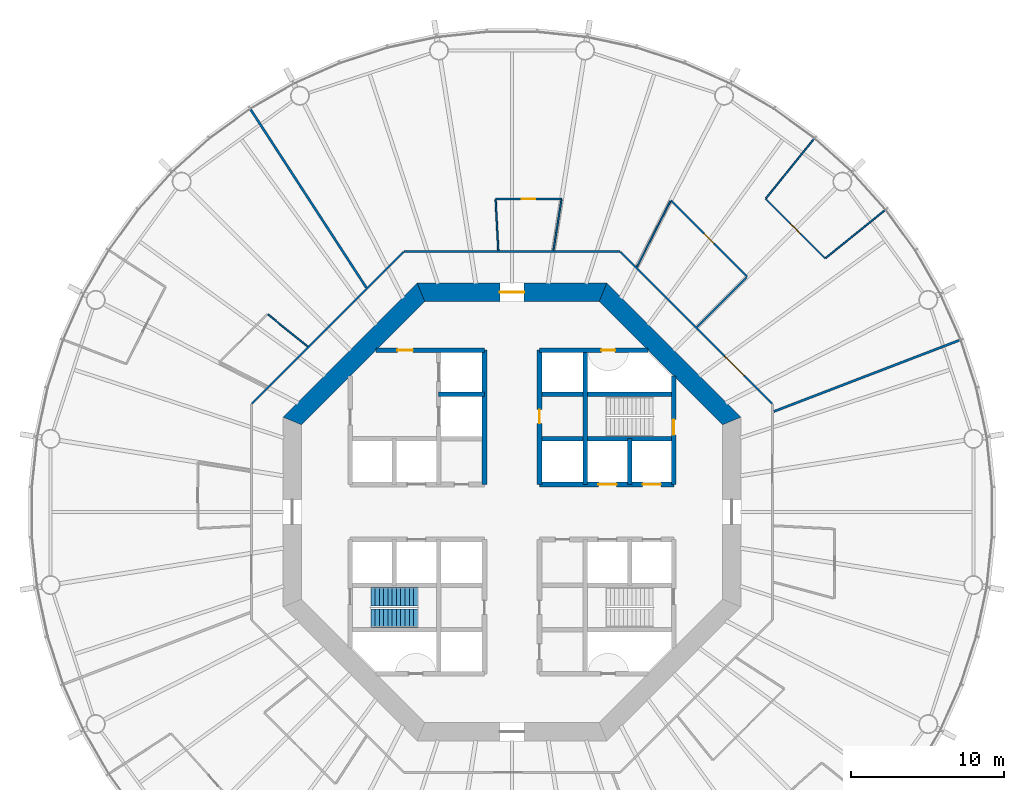
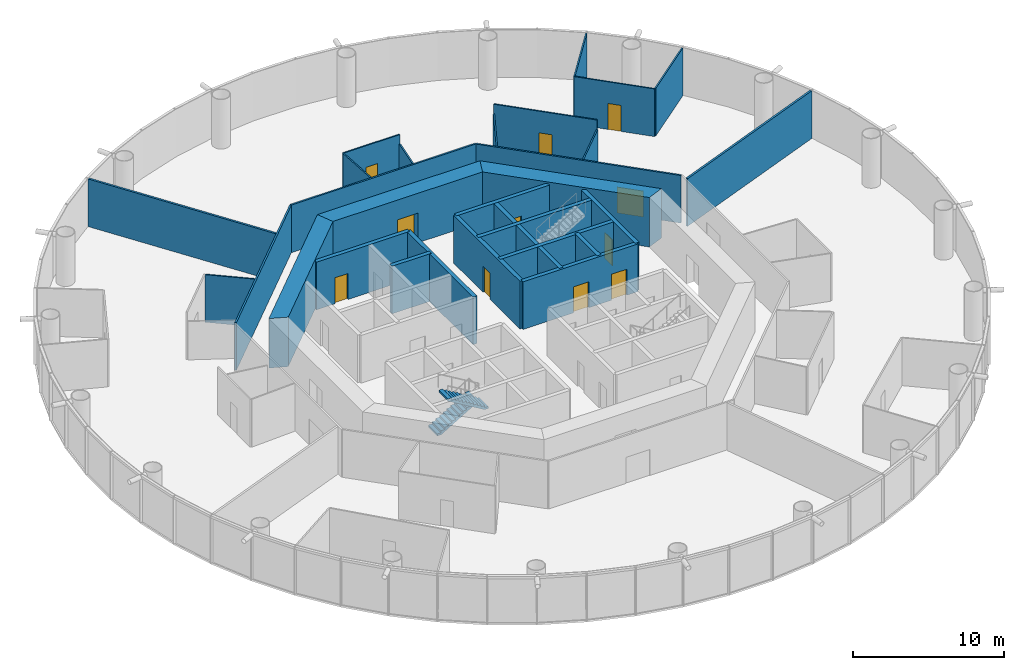
# One storey, part 5 of 13: 29 walls, 11 doors, 2 stair flights, 11 openings, 1 element without a shape of its own.
"""IFC4 building model written with IfcOpenShell, lengths in metres."""

from ifc_helpers import new_model, si_unit, direction, frame, frame_2d, origin, place, context, subcontext, project, spatial, polyline, rectangle, outline, extrude, material, layer, layer_set, type_object, element, fill, aggregate, save


model = new_model("IFC4")

# Units and contexts
model_context = context("Model", 3, precision=1e-05, world=origin(), true_north=direction((0.0, 1.0)))
body_context = subcontext(model_context, "Body", "Model", "MODEL_VIEW")
ifc_project = project(units=[si_unit("LENGTHUNIT", "METRE"), si_unit("AREAUNIT", "SQUARE_METRE"), si_unit("VOLUMEUNIT", "CUBIC_METRE"), si_unit("PLANEANGLEUNIT", "RADIAN"), si_unit("MASSUNIT", "GRAM", prefix="KILO")], contexts=[model_context])

# Site, building, storey
site_placement = place(None, origin())
site = spatial("IfcSite", under=ifc_project, at=site_placement, CompositionType="ELEMENT")
building_placement = place(site_placement, origin())
building = spatial("IfcBuilding", under=site, at=building_placement, Name="Entoto Ring Tower", CompositionType="ELEMENT")
storey_placement = place(building_placement, frame((0.0, 0.0, 112.0)))
storey = spatial("IfcBuildingStorey", under=building, at=storey_placement, Name="L25", CompositionType="ELEMENT", Elevation=112.0)

# Wall, opening, door
ifc_material_1 = material(Name="Concrete C40/50", Category="concrete")
ifc_layer_1 = layer(ifc_material_1, 0.300048828125)
ifc_layer_set_1 = layer_set([ifc_layer_1], Name="Concrete C40/50")
wall_type_1 = type_object("IfcWallType", Name="Core enclosure wall 300 mm reinforced concrete", PredefinedType="SOLIDWALL", material=ifc_layer_set_1)
wall_1_placement = place(storey_placement, frame((100.60009765625, 81.800048828125, 0.0), z_axis=(0.0, 0.0, 1.0), x_axis=(0.0, 1.0, 0.0)))
wall_1 = element("IfcWall", 1, at=wall_1_placement, inside=storey, type_object=wall_type_1, Name="wall-L25-002", PredefinedType="SOLIDWALL", context=body_context, shape_type="SweptSolid", body=[
    extrude(rectangle(XDim=7.115966796875, YDim=0.300048828125, at=frame_2d((3.55810546875, 0.0))), origin(), (0.0, 0.0, 1.0), 3.85009765625),
])
opening_1_placement = place(wall_1_placement, frame((3.25, 0.0, 0.0)))
opening_1 = element("IfcOpeningElement", 2, at=opening_1_placement, cuts=wall_1, Name="Opening K-17", PredefinedType="OPENING", context=body_context, shape_type="SweptSolid", body=[
    extrude(rectangle(XDim=1.0, YDim=2.10009765625, at=frame_2d((0.5, 1.050048828125))), frame((0.0, 0.16015625, 0.0), z_axis=(0.0, -1.0, 0.0), x_axis=(1.0, 0.0, 0.0)), (0.0, 0.0, 1.0), 0.320068359375),
])
ifc_material_2 = material(Name="Steel door leaf, fire rated", Category="steel")
ifc_layer_2 = layer(ifc_material_2, 0.050048828125)
ifc_layer_set_2 = layer_set([ifc_layer_2], Name="Steel door leaf, fire rated")
door_type_1 = type_object("IfcDoorType", Name="Fire door FD60 1000 x 2100 single leaf", OperationType="NOTDEFINED", PredefinedType="DOOR", material=ifc_layer_set_2)
door_1_placement = place(opening_1_placement, origin())
door_1 = element("IfcDoor", 3, at=door_1_placement, inside=storey, type_object=door_type_1, Name="Door K-17", OperationType="SINGLE_SWING_RIGHT", OverallHeight=2.10009765625, OverallWidth=1.0, PredefinedType="DOOR", context=body_context, shape_type="SweptSolid", body=[
    extrude(rectangle(XDim=1.0, YDim=2.10009765625, at=frame_2d((0.5, 1.050048828125))), frame((0.0, 0.02490234375, 0.0), z_axis=(0.0, -1.0, 0.0), x_axis=(1.0, 0.0, 0.0)), (0.0, 0.0, 1.0), 0.050048828125),
])
fill(opening_1, door_1)

# Walls
wall_2_placement = place(storey_placement, frame((97.699951171875, 81.800048828125, 0.0), z_axis=(0.0, 0.0, 1.0), x_axis=(0.0, 1.0, 0.0)))
element("IfcWall", 4, at=wall_2_placement, inside=storey, type_object=wall_type_1, Name="wall-L25-004", PredefinedType="SOLIDWALL", context=body_context, shape_type="SweptSolid", body=[
    extrude(rectangle(XDim=3.0, YDim=0.300048828125, at=frame_2d((1.5, 0.0))), origin(), (0.0, 0.0, 1.0), 3.85009765625),
])
wall_3_placement = place(storey_placement, frame((94.800048828125, 81.800048828125, 0.0), z_axis=(0.0, 0.0, 1.0), x_axis=(0.0, 1.0, 0.0)))
element("IfcWall", 5, at=wall_3_placement, inside=storey, type_object=wall_type_1, Name="wall-L25-006", PredefinedType="SOLIDWALL", context=body_context, shape_type="SweptSolid", body=[
    extrude(rectangle(XDim=8.800048828125, YDim=0.300048828125, at=frame_2d((4.39990234375, 0.0))), origin(), (0.0, 0.0, 1.0), 3.85009765625),
])

# Wall, opening, door
wall_4_placement = place(storey_placement, frame((91.800048828125, 81.800048828125, 0.0), z_axis=(0.0, 0.0, 1.0), x_axis=(0.0, 1.0, 0.0)))
wall_4 = element("IfcWall", 6, at=wall_4_placement, inside=storey, type_object=wall_type_1, Name="wall-L25-008", PredefinedType="SOLIDWALL", context=body_context, shape_type="SweptSolid", body=[
    extrude(rectangle(XDim=8.800048828125, YDim=0.300048828125, at=frame_2d((4.39990234375, 0.0))), origin(), (0.0, 0.0, 1.0), 3.85009765625),
])
opening_2_placement = place(wall_4_placement, frame((4.0, 0.0, 0.0)))
opening_2 = element("IfcOpeningElement", 7, at=opening_2_placement, cuts=wall_4, Name="Opening K-11", PredefinedType="OPENING", context=body_context, shape_type="SweptSolid", body=[
    extrude(rectangle(XDim=0.89990234375, YDim=2.10009765625, at=frame_2d((0.449951171875, 1.050048828125))), frame((0.0, 0.16015625, 0.0), z_axis=(0.0, -1.0, 0.0), x_axis=(1.0, 0.0, 0.0)), (0.0, 0.0, 1.0), 0.320068359375),
])
ifc_material_3 = material(Name="Steel door leaf, fire rated", Category="steel")
ifc_layer_3 = layer(ifc_material_3, 0.050048828125)
ifc_layer_set_3 = layer_set([ifc_layer_3], Name="Steel door leaf, fire rated")
door_type_2 = type_object("IfcDoorType", Name="Core door 900 x 2100 single leaf", OperationType="NOTDEFINED", PredefinedType="DOOR", material=ifc_layer_set_3)
door_2_placement = place(opening_2_placement, origin())
door_2 = element("IfcDoor", 8, at=door_2_placement, inside=storey, type_object=door_type_2, Name="Door K-11", OperationType="SINGLE_SWING_RIGHT", OverallHeight=2.10009765625, OverallWidth=0.89990234375, PredefinedType="DOOR", context=body_context, shape_type="SweptSolid", body=[
    extrude(rectangle(XDim=0.89990234375, YDim=2.10009765625, at=frame_2d((0.449951171875, 1.050048828125))), frame((0.0, 0.02490234375, 0.0), z_axis=(0.0, -1.0, 0.0), x_axis=(1.0, 0.0, 0.0)), (0.0, 0.0, 1.0), 0.050048828125),
])
fill(opening_2, door_2)

# Wall
wall_5_placement = place(storey_placement, frame((88.199951171875, 81.800048828125, 0.0), z_axis=(0.0, 0.0, 1.0), x_axis=(0.0, 1.0, 0.0)))
element("IfcWall", 9, at=wall_5_placement, inside=storey, type_object=wall_type_1, Name="wall-L25-010", PredefinedType="SOLIDWALL", context=body_context, shape_type="SweptSolid", body=[
    extrude(rectangle(XDim=8.800048828125, YDim=0.300048828125, at=frame_2d((4.39990234375, 0.0))), origin(), (0.0, 0.0, 1.0), 3.85009765625),
])

# Wall, openings, doors
wall_6_placement = place(storey_placement, frame((91.800048828125, 81.800048828125, 0.0), z_axis=(0.0, 0.0, 1.0), x_axis=(1.0, 0.0, 0.0)))
wall_6 = element("IfcWall", 10, at=wall_6_placement, inside=storey, type_object=wall_type_1, Name="wall-L25-026", PredefinedType="SOLIDWALL", context=body_context, shape_type="SweptSolid", body=[
    extrude(rectangle(XDim=8.800048828125, YDim=0.300048828125, at=frame_2d((4.39990234375, 0.0))), origin(), (0.0, 0.0, 1.0), 3.85009765625),
])
opening_3_placement = place(wall_6_placement, frame((3.85009765625, 0.0, 0.0)))
opening_3 = element("IfcOpeningElement", 11, at=opening_3_placement, cuts=wall_6, Name="Opening LD", PredefinedType="OPENING", context=body_context, shape_type="SweptSolid", body=[
    extrude(rectangle(XDim=1.199951171875, YDim=2.10009765625, at=frame_2d((0.60009765625, 1.050048828125))), frame((0.0, 0.16015625, 0.0), z_axis=(0.0, -1.0, 0.0), x_axis=(1.0, 0.0, 0.0)), (0.0, 0.0, 1.0), 0.320068359375),
])
opening_4_placement = place(wall_6_placement, frame((6.75, 0.0, 0.0)))
opening_4 = element("IfcOpeningElement", 12, at=opening_4_placement, cuts=wall_6, Name="Opening LD", PredefinedType="OPENING", context=body_context, shape_type="SweptSolid", body=[
    extrude(rectangle(XDim=1.199951171875, YDim=2.10009765625, at=frame_2d((0.60009765625, 1.050048828125))), frame((0.0, 0.16015625, 0.0), z_axis=(0.0, -1.0, 0.0), x_axis=(1.0, 0.0, 0.0)), (0.0, 0.0, 1.0), 0.320068359375),
])
ifc_material_4 = material(Name="Steel and glass door leaf", Category="steel")
ifc_layer_4 = layer(ifc_material_4, 0.050048828125)
ifc_layer_set_4 = layer_set([ifc_layer_4], Name="Steel and glass door leaf")
door_type_3 = type_object("IfcDoorType", Name="Landing door 1200 x 2100 sliding", OperationType="DOUBLE_DOOR_SLIDING", PredefinedType="DOOR", material=ifc_layer_set_4)
door_3_placement = place(opening_3_placement, origin())
door_3 = element("IfcDoor", 13, at=door_3_placement, inside=storey, type_object=door_type_3, Name="Landing door LB1-LR", OperationType="SLIDING_TO_RIGHT", OverallHeight=2.10009765625, OverallWidth=1.199951171875, PredefinedType="DOOR", context=body_context, shape_type="SweptSolid", body=[
    extrude(rectangle(XDim=1.199951171875, YDim=2.10009765625, at=frame_2d((0.60009765625, 1.050048828125))), frame((0.0, 0.02490234375, 0.0), z_axis=(0.0, -1.0, 0.0), x_axis=(1.0, 0.0, 0.0)), (0.0, 0.0, 1.0), 0.050048828125),
])
fill(opening_3, door_3)
door_4_placement = place(opening_4_placement, origin())
door_4 = element("IfcDoor", 14, at=door_4_placement, inside=storey, type_object=door_type_3, Name="Landing door LB2-LR", OperationType="SLIDING_TO_RIGHT", OverallHeight=2.10009765625, OverallWidth=1.199951171875, PredefinedType="DOOR", context=body_context, shape_type="SweptSolid", body=[
    extrude(rectangle(XDim=1.199951171875, YDim=2.10009765625, at=frame_2d((0.60009765625, 1.050048828125))), frame((0.0, 0.02490234375, 0.0), z_axis=(0.0, -1.0, 0.0), x_axis=(1.0, 0.0, 0.0)), (0.0, 0.0, 1.0), 0.050048828125),
])
fill(opening_4, door_4)

# Walls
wall_7_placement = place(storey_placement, frame((91.800048828125, 84.800048828125, 0.0), z_axis=(0.0, 0.0, 1.0), x_axis=(1.0, 0.0, 0.0)))
element("IfcWall", 15, at=wall_7_placement, inside=storey, type_object=wall_type_1, Name="wall-L25-028", PredefinedType="SOLIDWALL", context=body_context, shape_type="SweptSolid", body=[
    extrude(rectangle(XDim=8.800048828125, YDim=0.300048828125, at=frame_2d((4.39990234375, 0.0))), origin(), (0.0, 0.0, 1.0), 3.85009765625),
])
wall_8_placement = place(storey_placement, frame((85.199951171875, 87.699951171875, 0.0), z_axis=(0.0, 0.0, 1.0), x_axis=(1.0, 0.0, 0.0)))
element("IfcWall", 16, at=wall_8_placement, inside=storey, type_object=wall_type_1, Name="wall-L25-029", PredefinedType="SOLIDWALL", context=body_context, shape_type="SweptSolid", body=[
    extrude(rectangle(XDim=3.0, YDim=0.300048828125, at=frame_2d((1.5, 0.0))), origin(), (0.0, 0.0, 1.0), 3.85009765625),
])
wall_9_placement = place(storey_placement, frame((91.800048828125, 87.699951171875, 0.0), z_axis=(0.0, 0.0, 1.0), x_axis=(1.0, 0.0, 0.0)))
element("IfcWall", 17, at=wall_9_placement, inside=storey, type_object=wall_type_1, Name="wall-L25-030", PredefinedType="SOLIDWALL", context=body_context, shape_type="SweptSolid", body=[
    extrude(rectangle(XDim=8.800048828125, YDim=0.300048828125, at=frame_2d((4.39990234375, 0.0))), origin(), (0.0, 0.0, 1.0), 3.85009765625),
])

# Wall, opening, door
wall_10_placement = place(storey_placement, frame((81.083984375, 90.60009765625, 0.0), z_axis=(0.0, 0.0, 1.0), x_axis=(1.0, 0.0, 0.0)))
wall_10 = element("IfcWall", 18, at=wall_10_placement, inside=storey, type_object=wall_type_1, Name="wall-L25-031", PredefinedType="SOLIDWALL", context=body_context, shape_type="SweptSolid", body=[
    extrude(rectangle(XDim=7.115966796875, YDim=0.300048828125, at=frame_2d((3.55810546875, 0.0))), origin(), (0.0, 0.0, 1.0), 3.85009765625),
])
opening_5_placement = place(wall_10_placement, frame((1.416015625, 0.0, 0.0)))
opening_5 = element("IfcOpeningElement", 19, at=opening_5_placement, cuts=wall_10, Name="Opening K-73", PredefinedType="OPENING", context=body_context, shape_type="SweptSolid", body=[
    extrude(rectangle(XDim=1.0, YDim=2.10009765625, at=frame_2d((0.5, 1.050048828125))), frame((0.0, 0.16015625, 0.0), z_axis=(0.0, -1.0, 0.0), x_axis=(1.0, 0.0, 0.0)), (0.0, 0.0, 1.0), 0.320068359375),
])
door_5_placement = place(opening_5_placement, frame((1.0, 0.0, 0.0), z_axis=(0.0, 0.0, 1.0), x_axis=(-1.0, 0.0, 0.0)))
door_5 = element("IfcDoor", 20, at=door_5_placement, inside=storey, type_object=door_type_1, Name="Door K-73", OperationType="SINGLE_SWING_RIGHT", OverallHeight=2.10009765625, OverallWidth=1.0, PredefinedType="DOOR", context=body_context, shape_type="SweptSolid", body=[
    extrude(rectangle(XDim=1.0, YDim=2.10009765625, at=frame_2d((0.5, 1.050048828125))), frame((0.0, 0.02490234375, 0.0), z_axis=(0.0, -1.0, 0.0), x_axis=(1.0, 0.0, 0.0)), (0.0, 0.0, 1.0), 0.050048828125),
])
fill(opening_5, door_5)

wall_11_placement = place(storey_placement, frame((91.800048828125, 90.60009765625, 0.0), z_axis=(0.0, 0.0, 1.0), x_axis=(1.0, 0.0, 0.0)))
wall_11 = element("IfcWall", 21, at=wall_11_placement, inside=storey, type_object=wall_type_1, Name="wall-L25-032", PredefinedType="SOLIDWALL", context=body_context, shape_type="SweptSolid", body=[
    extrude(rectangle(XDim=7.115966796875, YDim=0.300048828125, at=frame_2d((3.55810546875, 0.0))), origin(), (0.0, 0.0, 1.0), 3.85009765625),
])
opening_6_placement = place(wall_11_placement, frame((4.050048828125, 0.0, 0.0)))
opening_6 = element("IfcOpeningElement", 22, at=opening_6_placement, cuts=wall_11, Name="Opening K-20", PredefinedType="OPENING", context=body_context, shape_type="SweptSolid", body=[
    extrude(rectangle(XDim=0.89990234375, YDim=2.10009765625, at=frame_2d((0.449951171875, 1.050048828125))), frame((0.0, 0.16015625, 0.0), z_axis=(0.0, -1.0, 0.0), x_axis=(1.0, 0.0, 0.0)), (0.0, 0.0, 1.0), 0.320068359375),
])
ifc_material_5 = material(Name="Steel door leaf, fire rated", Category="steel")
ifc_layer_5 = layer(ifc_material_5, 0.050048828125)
ifc_layer_set_5 = layer_set([ifc_layer_5], Name="Steel door leaf, fire rated")
door_type_4 = type_object("IfcDoorType", Name="Riser door FD60 900 x 2100 single leaf", OperationType="NOTDEFINED", PredefinedType="DOOR", material=ifc_layer_set_5)
door_6_placement = place(opening_6_placement, frame((0.89990234375, 0.0, 0.0), z_axis=(0.0, 0.0, 1.0), x_axis=(-1.0, 0.0, 0.0)))
door_6 = element("IfcDoor", 23, at=door_6_placement, inside=storey, type_object=door_type_4, Name="Door K-20", OperationType="SINGLE_SWING_LEFT", OverallHeight=2.10009765625, OverallWidth=0.89990234375, PredefinedType="DOOR", context=body_context, shape_type="SweptSolid", body=[
    extrude(rectangle(XDim=0.89990234375, YDim=2.10009765625, at=frame_2d((0.449951171875, 1.050048828125))), frame((0.0, 0.02490234375, 0.0), z_axis=(0.0, -1.0, 0.0), x_axis=(1.0, 0.0, 0.0)), (0.0, 0.0, 1.0), 0.050048828125),
])
fill(opening_6, door_6)

# Wall
ifc_material_6 = material(Name="Concrete C60/75", Category="concrete")
ifc_layer_6 = layer(ifc_material_6, 1.199951171875)
ifc_layer_set_6 = layer_set([ifc_layer_6], Name="Concrete C60/75")
wall_type_2 = type_object("IfcWallType", Name="Core shear wall 1200 mm reinforced concrete C60/75", PredefinedType="SHEAR", material=ifc_layer_set_6)
wall_12_placement = place(storey_placement, frame((104.39990234375, 85.964599609375, 0.0), z_axis=(0.0, 0.0, 1.0), x_axis=(-0.707106781187, 0.707106781187, 0.0)))
element("IfcWall", 24, at=wall_12_placement, inside=storey, type_object=wall_type_2, Name="wall-L25-core-1", PredefinedType="SHEAR", context=body_context, shape_type="SweptSolid", body=[
    extrude(outline(polyline([(-0.24853515625, -0.60009765625), (12.177734375, -0.60009765625), (11.6806640625, 0.60009765625), (0.24853515625, 0.60009765625), (-0.24853515625, -0.60009765625)])), origin(), (0.0, 0.0, 1.0), 4.0),
])

# Wall, opening, door
wall_13_placement = place(storey_placement, frame((95.964599609375, 94.39990234375, 0.0), z_axis=(0.0, 0.0, 1.0), x_axis=(-1.0, 0.0, 0.0)))
wall_13 = element("IfcWall", 25, at=wall_13_placement, inside=storey, type_object=wall_type_2, Name="wall-L25-core-2", PredefinedType="SHEAR", context=body_context, shape_type="SweptSolid", body=[
    extrude(outline(polyline([(-0.24853515625, -0.60009765625), (12.177734375, -0.60009765625), (11.6806640625, 0.60009765625), (0.24853515625, 0.60009765625), (-0.24853515625, -0.60009765625)])), origin(), (0.0, 0.0, 1.0), 4.0),
])
opening_7_placement = place(wall_13_placement, frame((5.164794921875, 0.0, 0.0)))
opening_7 = element("IfcOpeningElement", 26, at=opening_7_placement, cuts=wall_13, Name="Opening K-02", PredefinedType="OPENING", context=body_context, shape_type="SweptSolid", body=[
    extrude(rectangle(XDim=1.60009765625, YDim=2.39990234375, at=frame_2d((0.800048828125, 1.199951171875))), frame((0.0, 0.60986328125, 0.0), z_axis=(0.0, -1.0, 0.0), x_axis=(1.0, 0.0, 0.0)), (0.0, 0.0, 1.0), 1.219970703125),
])
ifc_material_7 = material(Name="Steel door leaf, fire rated", Category="steel")
ifc_layer_7 = layer(ifc_material_7, 0.050048828125)
ifc_layer_set_7 = layer_set([ifc_layer_7], Name="Steel door leaf, fire rated")
door_type_5 = type_object("IfcDoorType", Name="Entrance door FD60 1600 x 2400 double leaf", OperationType="DOUBLE_DOOR_SINGLE_SWING", PredefinedType="DOOR", material=ifc_layer_set_7)
door_7_placement = place(opening_7_placement, origin())
door_7 = element("IfcDoor", 27, at=door_7_placement, inside=storey, type_object=door_type_5, Name="Entrance door K-02", OperationType="DOUBLE_DOOR_SINGLE_SWING", OverallHeight=2.39990234375, OverallWidth=1.60009765625, PredefinedType="DOOR", context=body_context, shape_type="SweptSolid", body=[
    extrude(rectangle(XDim=1.60009765625, YDim=2.39990234375, at=frame_2d((0.800048828125, 1.199951171875))), frame((0.0, 0.02490234375, 0.0), z_axis=(0.0, -1.0, 0.0), x_axis=(1.0, 0.0, 0.0)), (0.0, 0.0, 1.0), 0.050048828125),
])
fill(opening_7, door_7)

# Walls
wall_14_placement = place(storey_placement, frame((84.035400390625, 94.39990234375, 0.0), z_axis=(0.0, 0.0, 1.0), x_axis=(-0.707106781187, -0.707106781187, 0.0)))
element("IfcWall", 28, at=wall_14_placement, inside=storey, type_object=wall_type_2, Name="wall-L25-core-3", PredefinedType="SHEAR", context=body_context, shape_type="SweptSolid", body=[
    extrude(outline(polyline([(-0.24853515625, -0.60009765625), (12.177734375, -0.60009765625), (11.6806640625, 0.60009765625), (0.24853515625, 0.60009765625), (-0.24853515625, -0.60009765625)])), origin(), (0.0, 0.0, 1.0), 4.0),
])
ifc_material_8 = material(Name="Fire-resisting plasterboard on steel studs", Category="steel")
ifc_layer_8 = layer(ifc_material_8, 0.125)
ifc_layer_set_8 = layer_set([ifc_layer_8], Name="Fire-resisting plasterboard on steel studs")
wall_type_3 = type_object("IfcWallType", Name="Corridor wall 125 mm one-hour plasterboard on steel studs", PredefinedType="PARTITIONING", material=ifc_layer_set_8)
wall_15_placement = place(storey_placement, frame((82.9326171875, 97.0625, 0.0), z_axis=(0.0, 0.0, 1.0), x_axis=(1.0, 0.0, 0.0)))
element("IfcWall", 29, at=wall_15_placement, inside=storey, type_object=wall_type_3, Name="partition-L25-003", PredefinedType="PARTITIONING", context=body_context, shape_type="SweptSolid", body=[
    extrude(rectangle(XDim=14.134765625, YDim=0.125, at=frame_2d((7.0673828125, 0.0))), origin(), (0.0, 0.0, 1.0), 3.85009765625),
])
wall_16_placement = place(storey_placement, frame((72.968505859375, 87.0986328125, 0.0), z_axis=(0.0, 0.0, 1.0), x_axis=(0.707106781187, 0.707106781187, 0.0)))
element("IfcWall", 30, at=wall_16_placement, inside=storey, type_object=wall_type_3, Name="partition-L25-005", PredefinedType="PARTITIONING", context=body_context, shape_type="SweptSolid", body=[
    extrude(rectangle(XDim=14.047119140625, YDim=0.125, at=frame_2d((7.0234375, 0.0))), origin(), (0.0, 0.0, 1.0), 3.85009765625),
])

# Wall, opening, door
wall_17_placement = place(storey_placement, frame((107.031494140625, 87.0986328125, 0.0), z_axis=(0.0, 0.0, 1.0), x_axis=(-0.707106781187, 0.707106781187, 0.0)))
wall_17 = element("IfcWall", 31, at=wall_17_placement, inside=storey, type_object=wall_type_3, Name="partition-L25-008", PredefinedType="PARTITIONING", context=body_context, shape_type="SweptSolid", body=[
    extrude(rectangle(XDim=14.047119140625, YDim=0.125, at=frame_2d((7.0234375, 0.0))), origin(), (0.0, 0.0, 1.0), 3.85009765625),
])
opening_8_placement = place(wall_17_placement, frame((2.58984375, 0.0, 0.0)))
opening_8 = element("IfcOpeningElement", 32, at=opening_8_placement, cuts=wall_17, Name="Opening A10-D01", PredefinedType="OPENING", context=body_context, shape_type="SweptSolid", body=[
    extrude(rectangle(XDim=1.800048828125, YDim=2.10009765625, at=frame_2d((0.89990234375, 1.050048828125))), frame((0.0, 0.072509765625, 0.0), z_axis=(0.0, -1.0, 0.0), x_axis=(1.0, 0.0, 0.0)), (0.0, 0.0, 1.0), 0.14501953125),
])
ifc_material_9 = material(Name="Fire-resisting timber door set", Category="wood")
door_type_6 = type_object("IfcDoorType", Name="Door 1800 x 2100 double leaf FD30S fire door", OperationType="DOUBLE_DOOR_SINGLE_SWING", PredefinedType="DOOR", material=ifc_material_9)
door_8_placement = place(opening_8_placement, origin())
door_8 = element("IfcDoor", 33, at=door_8_placement, inside=storey, type_object=door_type_6, Name="Door A10-D01", OperationType="DOUBLE_DOOR_SINGLE_SWING", OverallHeight=2.10009765625, OverallWidth=1.800048828125, PredefinedType="DOOR", context=body_context, shape_type="SweptSolid", body=[
    extrude(rectangle(XDim=1.800048828125, YDim=2.10009765625, at=frame_2d((0.89990234375, 1.050048828125))), frame((0.0, 0.02490234375, 0.0), z_axis=(0.0, -1.0, 0.0), x_axis=(1.0, 0.0, 0.0)), (0.0, 0.0, 1.0), 0.050048828125),
])
fill(opening_8, door_8)

ifc_material_10 = material(Name="Plasterboard on steel studs", Category="steel")
ifc_layer_9 = layer(ifc_material_10, 0.10009765625)
ifc_layer_set_9 = layer_set([ifc_layer_9], Name="Plasterboard on steel studs")
wall_type_4 = type_object("IfcWallType", Name="Partition 100 mm plasterboard on steel studs", PredefinedType="PARTITIONING", material=ifc_layer_set_9)
wall_18_placement = place(storey_placement, frame((105.40966796875, 95.40966796875, 0.0), z_axis=(0.0, 0.0, 1.0), x_axis=(-0.707124020335, 0.707089541618, 0.0)))
wall_18 = element("IfcWall", 34, at=wall_18_placement, inside=storey, type_object=wall_type_4, Name="partition-L25-015", PredefinedType="PARTITIONING", context=body_context, shape_type="SweptSolid", body=[
    extrude(rectangle(XDim=7.080810546875, YDim=0.10009765625, at=frame_2d((3.54052734375, 0.0))), origin(), (0.0, 0.0, 1.0), 3.85009765625),
])
opening_9_placement = place(wall_18_placement, frame((3.09033203125, 0.0, 0.0)))
opening_9 = element("IfcOpeningElement", 35, at=opening_9_placement, cuts=wall_18, Name="Opening A10-D02", PredefinedType="OPENING", context=body_context, shape_type="SweptSolid", body=[
    extrude(rectangle(XDim=0.89990234375, YDim=2.10009765625, at=frame_2d((0.449951171875, 1.050048828125))), frame((0.0, 0.06005859375, 0.0), z_axis=(0.0, -1.0, 0.0), x_axis=(1.0, 0.0, 0.0)), (0.0, 0.0, 1.0), 0.1201171875),
])
ifc_material_11 = material(Name="Veneered timber door leaf in timber frame", Category="wood")
door_type_7 = type_object("IfcDoorType", Name="Door 900 x 2100 single leaf timber veneer", OperationType="NOTDEFINED", PredefinedType="DOOR", material=ifc_material_11)
door_9_placement = place(opening_9_placement, origin())
door_9 = element("IfcDoor", 36, at=door_9_placement, inside=storey, type_object=door_type_7, Name="Door A10-D02", OperationType="SINGLE_SWING_RIGHT", OverallHeight=2.10009765625, OverallWidth=0.89990234375, PredefinedType="DOOR", context=body_context, shape_type="SweptSolid", body=[
    extrude(rectangle(XDim=0.89990234375, YDim=2.10009765625, at=frame_2d((0.449951171875, 1.050048828125))), frame((0.0, 0.02490234375, 0.0), z_axis=(0.0, -1.0, 0.0), x_axis=(1.0, 0.0, 0.0)), (0.0, 0.0, 1.0), 0.050048828125),
])
fill(opening_9, door_9)

wall_19_placement = place(storey_placement, frame((110.5087890625, 96.60791015625, 0.0), z_axis=(0.0, 0.0, 1.0), x_axis=(-0.707106781187, 0.707106781187, 0.0)))
wall_19 = element("IfcWall", 37, at=wall_19_placement, inside=storey, type_object=wall_type_4, Name="partition-L25-019", PredefinedType="PARTITIONING", context=body_context, shape_type="SweptSolid", body=[
    extrude(rectangle(XDim=5.5166015625, YDim=0.10009765625, at=frame_2d((2.75830078125, 0.0))), origin(), (0.0, 0.0, 1.0), 3.85009765625),
])
opening_10_placement = place(wall_19_placement, frame((2.30859375, 0.0, 0.0)))
opening_10 = element("IfcOpeningElement", 38, at=opening_10_placement, cuts=wall_19, Name="Opening A10-D04", PredefinedType="OPENING", context=body_context, shape_type="SweptSolid", body=[
    extrude(rectangle(XDim=0.89990234375, YDim=2.10009765625, at=frame_2d((0.449951171875, 1.050048828125))), frame((0.0, 0.06005859375, 0.0), z_axis=(0.0, -1.0, 0.0), x_axis=(1.0, 0.0, 0.0)), (0.0, 0.0, 1.0), 0.1201171875),
])
door_10_placement = place(opening_10_placement, frame((0.89990234375, 0.0, 0.0), z_axis=(0.0, 0.0, 1.0), x_axis=(-1.0, 0.0, 0.0)))
door_10 = element("IfcDoor", 39, at=door_10_placement, inside=storey, type_object=door_type_7, Name="Door A10-D04", OperationType="SINGLE_SWING_LEFT", OverallHeight=2.10009765625, OverallWidth=0.89990234375, PredefinedType="DOOR", context=body_context, shape_type="SweptSolid", body=[
    extrude(rectangle(XDim=0.89990234375, YDim=2.10009765625, at=frame_2d((0.449951171875, 1.050048828125))), frame((0.0, 0.02490234375, 0.0), z_axis=(0.0, -1.0, 0.0), x_axis=(1.0, 0.0, 0.0)), (0.0, 0.0, 1.0), 0.050048828125),
])
fill(opening_10, door_10)

# Walls
for number, where, z_axis, x_axis, name in (
    (40, (106.638916015625, 100.547607421875, 0.0), (0.0, 0.0, 1.0), (0.629340075028, 0.777130021273, 0.0), "partition-L25-022"),
    (41, (110.547607421875, 96.638916015625, 0.0), (0.0, 0.0, 1.0), (0.777130021273, 0.629340075028, 0.0), "partition-L25-023"),
):
    element("IfcWall", number, at=place(storey_placement, frame(where, z_axis=z_axis, x_axis=x_axis)), inside=storey, type_object=wall_type_4, Name=name, PredefinedType="PARTITIONING", context=body_context, shape_type="SweptSolid", body=[
        extrude(rectangle(XDim=5.00048828125, YDim=0.10009765625, at=frame_2d((2.500244140625, 0.0))), origin(), (0.0, 0.0, 1.0), 3.85009765625),
    ])

# Wall, opening, door
wall_20_placement = place(storey_placement, frame((88.925537109375, 100.50244140625, 0.0), z_axis=(0.0, 0.0, 1.0), x_axis=(1.0, 0.0, 0.0)))
wall_20 = element("IfcWall", 42, at=wall_20_placement, inside=storey, type_object=wall_type_4, Name="partition-L25-033", PredefinedType="PARTITIONING", context=body_context, shape_type="SweptSolid", body=[
    extrude(rectangle(XDim=4.32177734375, YDim=0.10009765625, at=frame_2d((2.160888671875, 0.0))), origin(), (0.0, 0.0, 1.0), 3.85009765625),
])
opening_11_placement = place(wall_20_placement, frame((1.7109375, 0.0, 0.0)))
opening_11 = element("IfcOpeningElement", 43, at=opening_11_placement, cuts=wall_20, Name="Opening A10-D03", PredefinedType="OPENING", context=body_context, shape_type="SweptSolid", body=[
    extrude(rectangle(XDim=0.89990234375, YDim=2.10009765625, at=frame_2d((0.449951171875, 1.050048828125))), frame((0.0, 0.06005859375, 0.0), z_axis=(0.0, -1.0, 0.0), x_axis=(1.0, 0.0, 0.0)), (0.0, 0.0, 1.0), 0.1201171875),
])
door_11_placement = place(opening_11_placement, frame((0.89990234375, 0.0, 0.0), z_axis=(0.0, 0.0, 1.0), x_axis=(-1.0, 0.0, 0.0)))
door_11 = element("IfcDoor", 44, at=door_11_placement, inside=storey, type_object=door_type_7, Name="Door A10-D03", OperationType="SINGLE_SWING_LEFT", OverallHeight=2.10009765625, OverallWidth=0.89990234375, PredefinedType="DOOR", context=body_context, shape_type="SweptSolid", body=[
    extrude(rectangle(XDim=0.89990234375, YDim=2.10009765625, at=frame_2d((0.449951171875, 1.050048828125))), frame((0.0, 0.02490234375, 0.0), z_axis=(0.0, -1.0, 0.0), x_axis=(1.0, 0.0, 0.0)), (0.0, 0.0, 1.0), 0.050048828125),
])
fill(opening_11, door_11)

# Walls
wall_21_placement = place(storey_placement, frame((76.614013671875, 90.83984375, 0.0), z_axis=(0.0, 0.0, 1.0), x_axis=(-0.777180008876, 0.629278343663, 0.0)))
element("IfcWall", 45, at=wall_21_placement, inside=storey, type_object=wall_type_4, Name="partition-L25-044", PredefinedType="PARTITIONING", context=body_context, shape_type="SweptSolid", body=[
    extrude(rectangle(XDim=3.3310546875, YDim=0.10009765625, at=frame_2d((1.66552734375, 0.0))), origin(), (0.0, 0.0, 1.0), 3.85009765625),
])
wall_22_placement = place(storey_placement, frame((89.102294921875, 97.127685546875, 0.0), z_axis=(0.0, 0.0, 1.0), x_axis=(-0.052323876368, 0.998630167761, 0.0)))
element("IfcWall", 46, at=wall_22_placement, inside=storey, type_object=wall_type_4, Name="partition-L25-045", PredefinedType="PARTITIONING", context=body_context, shape_type="SweptSolid", body=[
    extrude(rectangle(XDim=3.326904296875, YDim=0.10009765625, at=frame_2d((1.66357421875, 0.0))), origin(), (0.0, 0.0, 1.0), 3.85009765625),
])
ifc_material_12 = material(Name="Plasterboard on steel studs", Category="steel")
ifc_layer_10 = layer(ifc_material_12, 0.10009765625)
ifc_layer_set_10 = layer_set([ifc_layer_10], Name="Plasterboard on steel studs")
wall_type_5 = type_object("IfcWallType", Name="Partition 100 mm plasterboard on steel studs, 3097 mm high", PredefinedType="PARTITIONING", material=ifc_layer_set_10)
wall_23_placement = place(storey_placement, frame((98.181884765625, 96.05810546875, 0.0), z_axis=(0.0, 0.0, 1.0), x_axis=(0.454024360391, 0.890989270514, 0.0)))
element("IfcWall", 47, at=wall_23_placement, inside=storey, type_object=wall_type_5, Name="partition-L25-024", PredefinedType="PARTITIONING", context=body_context, shape_type="SweptSolid", body=[
    extrude(rectangle(XDim=4.82275390625, YDim=0.10009765625, at=frame_2d((2.411376953125, 0.0))), origin(), (0.0, 0.0, 1.0), 3.096923828125),
])
wall_24_placement = place(storey_placement, frame((102.109375, 92.109375, 0.0), z_axis=(0.0, 0.0, 1.0), x_axis=(0.707106781187, 0.707106781187, 0.0)))
element("IfcWall", 48, at=wall_24_placement, inside=storey, type_object=wall_type_5, Name="partition-L25-027", PredefinedType="PARTITIONING", context=body_context, shape_type="SweptSolid", body=[
    extrude(rectangle(XDim=4.6171875, YDim=0.10009765625, at=frame_2d((2.30859375, 0.0))), origin(), (0.0, 0.0, 1.0), 3.096923828125),
])
wall_25_placement = place(storey_placement, frame((92.713623046875, 97.1328125, 0.0), z_axis=(0.0, 0.0, 1.0), x_axis=(0.156388773261, 0.987695576379, 0.0)))
element("IfcWall", 49, at=wall_25_placement, inside=storey, type_object=wall_type_5, Name="partition-L25-043", PredefinedType="PARTITIONING", context=body_context, shape_type="SweptSolid", body=[
    extrude(rectangle(XDim=3.353271484375, YDim=0.10009765625, at=frame_2d((1.6767578125, 0.0))), origin(), (0.0, 0.0, 1.0), 3.096923828125),
])
ifc_material_13 = material(Name="Fire-resisting acoustic plasterboard on steel studs", Category="steel")
ifc_layer_11 = layer(ifc_material_13, 0.14990234375)
ifc_layer_set_11 = layer_set([ifc_layer_11], Name="Fire-resisting acoustic plasterboard on steel studs")
wall_type_6 = type_object("IfcWallType", Name="Party wall 150 mm one-hour acoustic plasterboard on steel studs", PredefinedType="PARTITIONING", material=ifc_layer_set_11)
wall_26_placement = place(storey_placement, frame((80.4560546875, 94.6962890625, 0.0), z_axis=(0.0, 0.0, 1.0), x_axis=(-0.544636211726, 0.838672401404, 0.0)))
element("IfcWall", 50, at=wall_26_placement, inside=storey, type_object=wall_type_6, Name="partition-L25-009", PredefinedType="PARTITIONING", context=body_context, shape_type="SweptSolid", body=[
    extrude(rectangle(XDim=13.916748046875, YDim=0.14990234375, at=frame_2d((6.95849609375, 0.0))), origin(), (0.0, 0.0, 1.0), 3.85009765625),
])
wall_27_placement = place(storey_placement, frame((107.151611328125, 86.583984375, 0.0), z_axis=(0.0, 0.0, 1.0), x_axis=(0.933583261388, 0.358360564315, 0.0)))
element("IfcWall", 51, at=wall_27_placement, inside=storey, type_object=wall_type_6, Name="partition-L25-012", PredefinedType="PARTITIONING", context=body_context, shape_type="SweptSolid", body=[
    extrude(rectangle(XDim=13.068115234375, YDim=0.14990234375, at=frame_2d((6.5341796875, 0.0))), origin(), (0.0, 0.0, 1.0), 3.85009765625),
])

# Stair, stair flights
ifc_material_14 = material(Name="Concrete C40/50", Category="concrete")
stair_type = type_object("IfcStairType", Name="Exit stair 1200 mm dog-leg reinforced concrete", PredefinedType="HALF_TURN_STAIR", material=ifc_material_14)
stair_placement = place(storey_placement, origin())
stair = element("IfcStair", 52, at=stair_placement, inside=storey, type_object=stair_type, Name="Exit stair 2", PredefinedType="HALF_TURN_STAIR")
ifc_material_15 = material(Name="Concrete C40/50", Category="concrete")
stair_flight_type = type_object("IfcStairFlightType", Name="Stair flight 1200 mm reinforced concrete", PredefinedType="STRAIGHT", material=ifc_material_15)
stair_flight_1_placement = place(storey_placement, frame((80.75, 74.449951171875, 0.0), z_axis=(0.0, 0.0, 1.0), x_axis=(1.0, 0.0, 0.0)))
stair_flight_1 = element("IfcStairFlight", 53, at=stair_flight_1_placement, type_object=stair_flight_type, Name="ST2 flight 1", NumberOfRisers=12, NumberOfTreads=11, PredefinedType="STRAIGHT", RiserHeight=0.166666667, TreadLength=0.28, context=body_context, shape_type="SweptSolid", body=[
    extrude(outline(polyline([(0.0, 0.0), (0.0, 0.166748046875), (0.280029296875, 0.166748046875), (0.280029296875, 0.333251953125), (0.56005859375, 0.333251953125), (0.56005859375, 0.5), (0.840087890625, 0.5), (0.840087890625, 0.666748046875), (1.1201171875, 0.666748046875), (1.1201171875, 0.833251953125), (1.39990234375, 0.833251953125), (1.39990234375, 1.0), (1.679931640625, 1.0), (1.679931640625, 1.166748046875), (1.9599609375, 1.166748046875), (1.9599609375, 1.333251953125), (2.239990234375, 1.333251953125), (2.239990234375, 1.5), (2.52001953125, 1.5), (2.52001953125, 1.666748046875), (2.800048828125, 1.666748046875), (2.800048828125, 1.833251953125), (3.080078125, 1.833251953125), (3.080078125, 2.0), (3.080078125, 1.658935546875), (0.29296875, 0.0), (0.0, 0.0)])), frame((0.0, 0.60009765625, 0.0), z_axis=(0.0, -1.0, 0.0), x_axis=(1.0, 0.0, 0.0)), (0.0, 0.0, 1.0), 1.199951171875),
])
stair_flight_2_placement = place(storey_placement, frame((83.830078125, 73.050048828125, 2.0), z_axis=(0.0, 0.0, 1.0), x_axis=(-1.0, 0.0, 0.0)))
stair_flight_2 = element("IfcStairFlight", 54, at=stair_flight_2_placement, type_object=stair_flight_type, Name="ST2 flight 2", NumberOfRisers=12, NumberOfTreads=11, PredefinedType="STRAIGHT", RiserHeight=0.166666667, TreadLength=0.28, context=body_context, shape_type="SweptSolid", body=[
    extrude(outline(polyline([(0.0, 0.0), (0.0, 0.166748046875), (0.280029296875, 0.166748046875), (0.280029296875, 0.333251953125), (0.56005859375, 0.333251953125), (0.56005859375, 0.5), (0.840087890625, 0.5), (0.840087890625, 0.666748046875), (1.1201171875, 0.666748046875), (1.1201171875, 0.833251953125), (1.39990234375, 0.833251953125), (1.39990234375, 1.0), (1.679931640625, 1.0), (1.679931640625, 1.166748046875), (1.9599609375, 1.166748046875), (1.9599609375, 1.333251953125), (2.239990234375, 1.333251953125), (2.239990234375, 1.5), (2.52001953125, 1.5), (2.52001953125, 1.666748046875), (2.800048828125, 1.666748046875), (2.800048828125, 1.833251953125), (3.080078125, 1.833251953125), (3.080078125, 2.0), (3.080078125, 1.658935546875), (0.29296875, 0.0), (0.0, 0.0)])), frame((0.0, 0.60009765625, 0.0), z_axis=(0.0, -1.0, 0.0), x_axis=(1.0, 0.0, 0.0)), (0.0, 0.0, 1.0), 1.199951171875),
])
aggregate(stair, [stair_flight_1, stair_flight_2])

save(model, "model.ifc")
